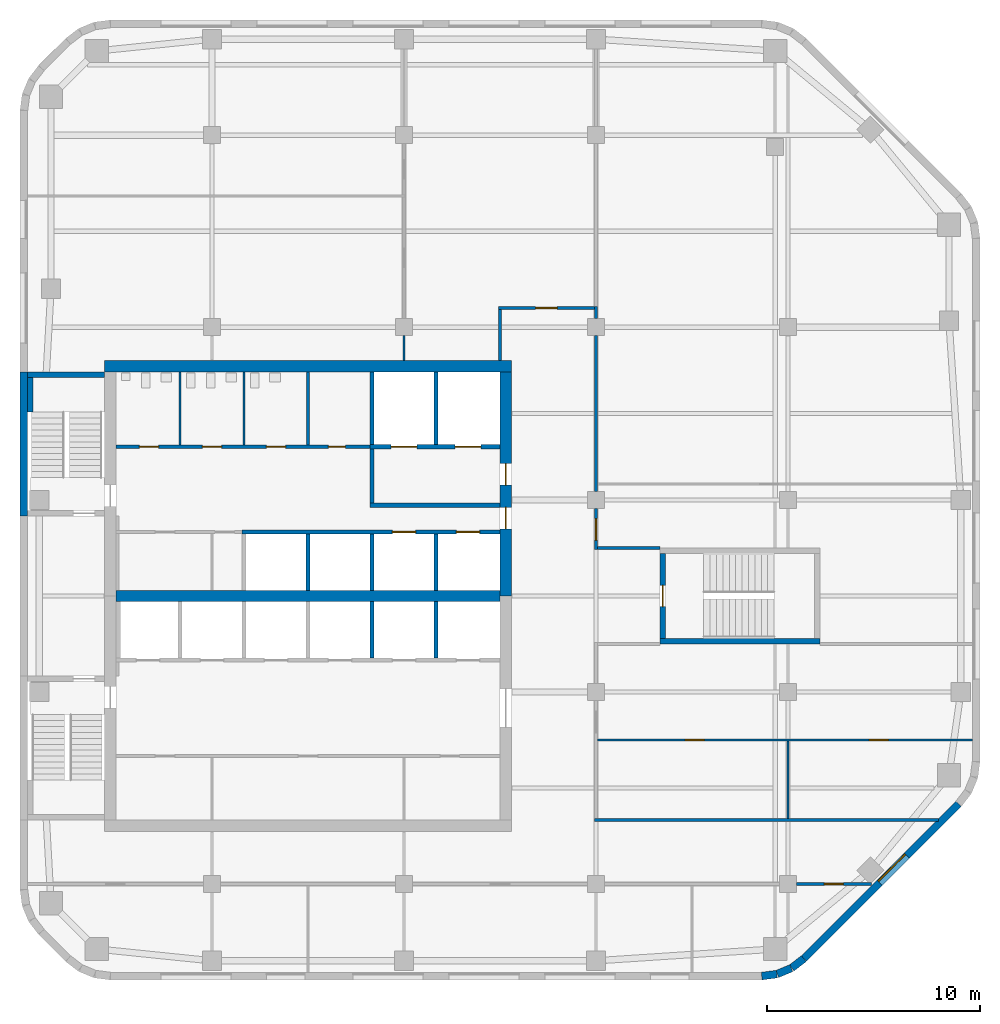
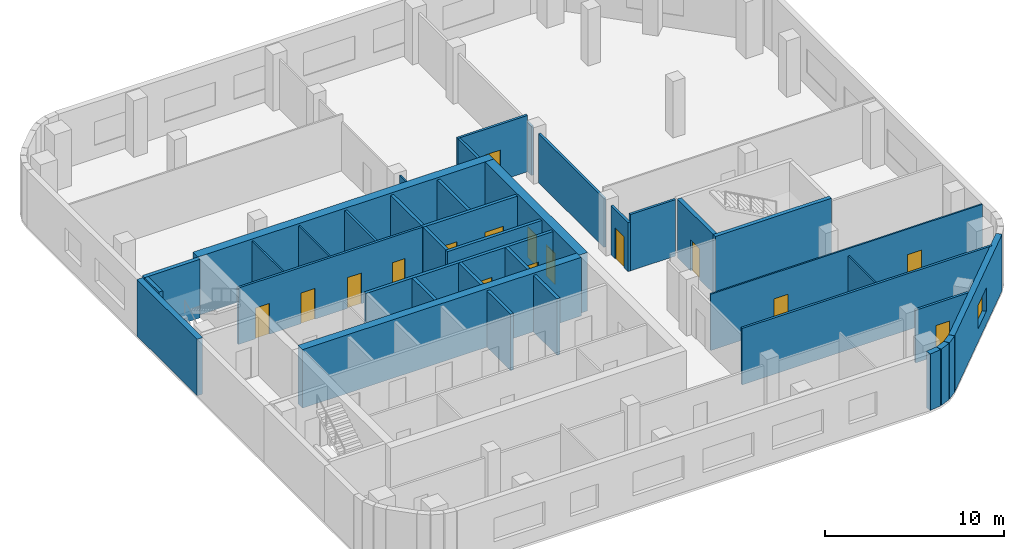
# One storey, part 4 of 7: 38 walls, 16 doors, 1 window, 17 openings.
"""IFC4 building model written with IfcOpenShell, lengths in metres."""

from ifc_helpers import new_model, si_unit, direction, frame, frame_2d, origin, place, context, subcontext, project, spatial, rectangle, extrude, material, layer, layer_set, type_object, element, fill, save


model = new_model("IFC4")

# Units and contexts
model_context = context("Model", 3, precision=1e-05, world=origin(), true_north=direction((0.0, 1.0)))
body_context = subcontext(model_context, "Body", "Model", "MODEL_VIEW")
ifc_project = project(units=[si_unit("LENGTHUNIT", "METRE"), si_unit("AREAUNIT", "SQUARE_METRE"), si_unit("VOLUMEUNIT", "CUBIC_METRE"), si_unit("PLANEANGLEUNIT", "RADIAN"), si_unit("MASSUNIT", "GRAM", prefix="KILO")], contexts=[model_context])

# Site, building, storey
site_placement = place(None, origin())
site = spatial("IfcSite", under=ifc_project, at=site_placement, CompositionType="ELEMENT")
building_placement = place(site_placement, origin())
building = spatial("IfcBuilding", under=site, at=building_placement, Name="Cinnabar Reach Civic Tower", CompositionType="ELEMENT")
storey_placement = place(building_placement, frame((0.0, 0.0, 214.0)))
storey = spatial("IfcBuildingStorey", under=building, at=storey_placement, Name="L51", CompositionType="ELEMENT", Elevation=214.0)

# Walls
ifc_material_1 = material(Name="Facing brick with insulated backing", Category="masonry")
ifc_layer_1 = layer(ifc_material_1, 0.36)
ifc_layer_set_1 = layer_set([ifc_layer_1], Name="Brick corner wall")
wall_type_1 = type_object("IfcWallType", Name="Brick corner wall", PredefinedType="STANDARD", material=ifc_layer_set_1)
for number, where, z_axis, x_axis, name in (
    (1, (34.7686, 13.683, 0.0), (0.0, 0.0, 1.0), (0.99144092581, 0.13055608231, 0.0), "Brick corner wall"),
    (2, (35.4973, 13.7819, 0.0), (0.0, 0.0, 1.0), (0.923871547278, 0.382702709855, 0.0), "Brick corner wall"),
):
    element("IfcWall", number, at=place(storey_placement, frame(where, z_axis=z_axis, x_axis=x_axis)), inside=storey, type_object=wall_type_1, Name=name, PredefinedType="STANDARD", context=body_context, shape_type="SweptSolid", body=[
        extrude(rectangle(XDim=0.7131, YDim=0.36, at=frame_2d((0.3565, 0.0))), origin(), (0.0, 0.0, 1.0), 3.85),
    ])
wall_1_placement = place(storey_placement, frame((36.1755, 14.066, 0.0), z_axis=(0.0, 0.0, 1.0), x_axis=(0.793321924995, 0.608802368033, 0.0)))
element("IfcWall", 3, at=wall_1_placement, inside=storey, type_object=wall_type_1, Name="Brick corner wall", PredefinedType="STANDARD", context=body_context, shape_type="SweptSolid", body=[
    extrude(rectangle(XDim=0.7132, YDim=0.36, at=frame_2d((0.3566, 0.0))), origin(), (0.0, 0.0, 1.0), 3.85),
])

# Wall, opening, window
ifc_layer_2 = layer(ifc_material_1, 0.36)
ifc_layer_set_2 = layer_set([ifc_layer_2], Name="Brick pier and spandrel wall")
wall_type_2 = type_object("IfcWallType", Name="Brick pier and spandrel wall", PredefinedType="STANDARD", material=ifc_layer_set_2)
wall_2_placement = place(storey_placement, frame((36.7514, 14.506, 0.0), z_axis=(0.0, 0.0, 1.0), x_axis=(0.707106781187, 0.707106781187, 0.0)))
wall_2 = element("IfcWall", 4, at=wall_2_placement, inside=storey, type_object=wall_type_2, Name="Brick facade wall", PredefinedType="STANDARD", context=body_context, shape_type="SweptSolid", body=[
    extrude(rectangle(XDim=10.2426, YDim=0.36, at=frame_2d((5.1213, 0.0))), origin(), (0.0, 0.0, 1.0), 3.85),
])
opening_1_placement = place(wall_2_placement, frame((5.0213, 0.0, 0.9)))
opening_1 = element("IfcOpeningElement", 5, at=opening_1_placement, cuts=wall_2, Name="Opening W2046", PredefinedType="OPENING", context=body_context, shape_type="SweptSolid", body=[
    extrude(rectangle(XDim=1.8, YDim=1.6, at=frame_2d((0.9, 0.8))), frame((0.0, 0.19, 0.0), z_axis=(0.0, -1.0, 0.0), x_axis=(1.0, 0.0, 0.0)), (0.0, 0.0, 1.0), 0.38),
])
ifc_material_2 = material(Name="Clear double glazing in aluminium frame", Category="aluminium")
window_type = type_object("IfcWindowType", Name="Deep-set window D", PartitioningType="SINGLE_PANEL", PredefinedType="WINDOW", material=ifc_material_2)
window_placement = place(opening_1_placement, origin())
window = element("IfcWindow", 6, at=window_placement, inside=storey, type_object=window_type, Name="Window southeast face", OverallHeight=1.6, OverallWidth=1.8, PartitioningType="SINGLE_PANEL", PredefinedType="WINDOW", context=body_context, shape_type="SweptSolid", body=[
    extrude(rectangle(XDim=1.8, YDim=1.6, at=frame_2d((0.9, 0.8))), frame((0.0, 0.13, 0.0), z_axis=(0.0, -1.0, 0.0), x_axis=(1.0, 0.0, 0.0)), (0.0, 0.0, 1.0), 0.06),
])
fill(opening_1, window)

# Walls
wall_3_placement = place(storey_placement, frame((0.18, 42.0, 0.0), z_axis=(0.0, 0.0, 1.0), x_axis=(0.0, -1.0, 0.0)))
element("IfcWall", 7, at=wall_3_placement, inside=storey, type_object=wall_type_2, Name="Brick facade wall", PredefinedType="STANDARD", context=body_context, shape_type="SweptSolid", body=[
    extrude(rectangle(XDim=6.75, YDim=0.36, at=frame_2d((3.375, 0.0))), origin(), (0.0, 0.0, 1.0), 3.85),
])
ifc_material_3 = material(Name="Concrete C60", Category="concrete")
ifc_layer_3 = layer(ifc_material_3, 0.5)
ifc_layer_set_3 = layer_set([ifc_layer_3], Name="Core wall 500 EI 180")
wall_type_3 = type_object("IfcWallType", Name="Core wall 500 EI 180", PredefinedType="SOLIDWALL", material=ifc_layer_set_3)
wall_4_placement = place(storey_placement, frame((4.5, 31.5, 0.0), z_axis=(0.0, 0.0, 1.0), x_axis=(1.0, 0.0, 0.0)))
element("IfcWall", 8, at=wall_4_placement, inside=storey, type_object=wall_type_3, Name="Core spine wall T1 L51", PredefinedType="SOLIDWALL", context=body_context, shape_type="SweptSolid", body=[
    extrude(rectangle(XDim=18.0, YDim=0.5, at=frame_2d((9.0, 0.0))), origin(), (0.0, 0.0, 1.0), 4.0),
])
ifc_layer_4 = layer(ifc_material_3, 0.55)
ifc_layer_set_4 = layer_set([ifc_layer_4], Name="Core wall 550 EI 180")
wall_type_4 = type_object("IfcWallType", Name="Core wall 550 EI 180", PredefinedType="SOLIDWALL", material=ifc_layer_set_4)
wall_5_placement = place(storey_placement, frame((23.05, 42.275, 0.0), z_axis=(0.0, 0.0, 1.0), x_axis=(-1.0, 0.0, 0.0)))
element("IfcWall", 9, at=wall_5_placement, inside=storey, type_object=wall_type_4, Name="Core wall T1 L51 N", PredefinedType="SOLIDWALL", context=body_context, shape_type="SweptSolid", body=[
    extrude(rectangle(XDim=19.1, YDim=0.55, at=frame_2d((9.55, 0.0))), origin(), (0.0, 0.0, 1.0), 4.0),
])

# Wall, openings, doors
wall_6_placement = place(storey_placement, frame((22.775, 31.5, 0.0), z_axis=(0.0, 0.0, 1.0), x_axis=(0.0, 1.0, 0.0)))
wall_6 = element("IfcWall", 10, at=wall_6_placement, inside=storey, type_object=wall_type_4, Name="Core wall T1 L51 E2", PredefinedType="SOLIDWALL", context=body_context, shape_type="SweptSolid", body=[
    extrude(rectangle(XDim=10.5, YDim=0.55, at=frame_2d((5.25, 0.0))), origin(), (0.0, 0.0, 1.0), 4.0),
])
opening_2_placement = place(wall_6_placement, frame((3.15, 0.0, 0.0)))
opening_2 = element("IfcOpeningElement", 11, at=opening_2_placement, cuts=wall_6, Name="Opening D5086", PredefinedType="OPENING", context=body_context, shape_type="SweptSolid", body=[
    extrude(rectangle(XDim=1.0, YDim=2.1, at=frame_2d((0.5, 1.05))), frame((0.0, 0.285, 0.0), z_axis=(0.0, -1.0, 0.0), x_axis=(1.0, 0.0, 0.0)), (0.0, 0.0, 1.0), 0.57),
])
opening_3_placement = place(wall_6_placement, frame((5.2, 0.0, 0.0)))
opening_3 = element("IfcOpeningElement", 12, at=opening_3_placement, cuts=wall_6, Name="Opening D5087", PredefinedType="OPENING", context=body_context, shape_type="SweptSolid", body=[
    extrude(rectangle(XDim=1.0, YDim=2.1, at=frame_2d((0.5, 1.05))), frame((0.0, 0.285, 0.0), z_axis=(0.0, -1.0, 0.0), x_axis=(1.0, 0.0, 0.0)), (0.0, 0.0, 1.0), 0.57),
])
ifc_material_4 = material(Name="Timber door leaf in steel frame", Category="steel")
door_type_1 = type_object("IfcDoorType", Name="Firefighting lobby door 1000 x 2100 T1", OperationType="SINGLE_SWING_LEFT", PredefinedType="DOOR", material=ifc_material_4)
door_1_placement = place(opening_3_placement, origin())
door_1 = element("IfcDoor", 13, at=door_1_placement, inside=storey, type_object=door_type_1, Name="Door D5087", OperationType="SINGLE_SWING_LEFT", OverallHeight=2.1, OverallWidth=1.0, PredefinedType="DOOR", context=body_context, shape_type="SweptSolid", body=[
    extrude(rectangle(XDim=1.0, YDim=2.1, at=frame_2d((0.5, 1.05))), frame((0.0, 0.025, 0.0), z_axis=(0.0, -1.0, 0.0), x_axis=(1.0, 0.0, 0.0)), (0.0, 0.0, 1.0), 0.05),
])
fill(opening_3, door_1)
door_type_2 = type_object("IfcDoorType", Name="Single swing door 1000 x 2100 T1", OperationType="SINGLE_SWING_LEFT", PredefinedType="DOOR", material=ifc_material_4)
door_2_placement = place(opening_2_placement, origin())
door_2 = element("IfcDoor", 14, at=door_2_placement, inside=storey, type_object=door_type_2, Name="Door D5086", OperationType="SINGLE_SWING_RIGHT", OverallHeight=2.1, OverallWidth=1.0, PredefinedType="DOOR", context=body_context, shape_type="SweptSolid", body=[
    extrude(rectangle(XDim=1.0, YDim=2.1, at=frame_2d((0.5, 1.05))), frame((0.0, 0.025, 0.0), z_axis=(0.0, -1.0, 0.0), x_axis=(1.0, 0.0, 0.0)), (0.0, 0.0, 1.0), 0.05),
])
fill(opening_2, door_2)

# Wall, opening, door
ifc_material_5 = material(Name="Gypsum board on steel studs, double layer", Category="steel")
ifc_layer_5 = layer(ifc_material_5, 0.15)
ifc_layer_set_5 = layer_set([ifc_layer_5], Name="Corridor wall 150 T1")
wall_type_5 = type_object("IfcWallType", Name="Corridor wall 150 T1", PredefinedType="PARTITIONING", material=ifc_layer_set_5)
wall_7_placement = place(storey_placement, frame((36.4, 18.0, 0.0), z_axis=(0.0, 0.0, 1.0), x_axis=(1.0, 0.0, 0.0)))
wall_7 = element("IfcWall", 15, at=wall_7_placement, inside=storey, type_object=wall_type_5, Name="Corridor wall 18", PredefinedType="PARTITIONING", context=body_context, shape_type="SweptSolid", body=[
    extrude(rectangle(XDim=3.516, YDim=0.15, at=frame_2d((1.758, 0.0))), origin(), (0.0, 0.0, 1.0), 3.602),
])
opening_4_placement = place(wall_7_placement, frame((1.3, 0.0, 0.0)))
opening_4 = element("IfcOpeningElement", 16, at=opening_4_placement, cuts=wall_7, Name="Opening D5105", PredefinedType="OPENING", context=body_context, shape_type="SweptSolid", body=[
    extrude(rectangle(XDim=0.9, YDim=2.1, at=frame_2d((0.45, 1.05))), frame((0.0, 0.085, 0.0), z_axis=(0.0, -1.0, 0.0), x_axis=(1.0, 0.0, 0.0)), (0.0, 0.0, 1.0), 0.17),
])
door_type_3 = type_object("IfcDoorType", Name="Single swing door 900 x 2100 corridor T1", OperationType="SINGLE_SWING_LEFT", PredefinedType="DOOR", material=ifc_material_4)
door_3_placement = place(opening_4_placement, frame((0.9, 0.0, 0.0), z_axis=(0.0, 0.0, 1.0), x_axis=(-1.0, 0.0, 0.0)))
door_3 = element("IfcDoor", 17, at=door_3_placement, inside=storey, type_object=door_type_3, Name="Door D5105", OperationType="SINGLE_SWING_RIGHT", OverallHeight=2.1, OverallWidth=0.9, PredefinedType="DOOR", context=body_context, shape_type="SweptSolid", body=[
    extrude(rectangle(XDim=0.9, YDim=2.1, at=frame_2d((0.45, 1.05))), frame((0.0, 0.025, 0.0), z_axis=(0.0, -1.0, 0.0), x_axis=(1.0, 0.0, 0.0)), (0.0, 0.0, 1.0), 0.05),
])
fill(opening_4, door_3)

# Wall
wall_8_placement = place(storey_placement, frame((26.925, 21.0, 0.0), z_axis=(0.0, 0.0, 1.0), x_axis=(1.0, 0.0, 0.0)))
element("IfcWall", 18, at=wall_8_placement, inside=storey, type_object=wall_type_5, Name="Corridor wall 24", PredefinedType="PARTITIONING", context=body_context, shape_type="SweptSolid", body=[
    extrude(rectangle(XDim=16.1409, YDim=0.15, at=frame_2d((8.0704, 0.0))), origin(), (0.0, 0.0, 1.0), 3.85),
])

# Wall, openings, doors
wall_9_placement = place(storey_placement, frame((4.5, 38.5, 0.0), z_axis=(0.0, 0.0, 1.0), x_axis=(1.0, 0.0, 0.0)))
wall_9 = element("IfcWall", 19, at=wall_9_placement, inside=storey, type_object=wall_type_5, Name="Corridor wall 25", PredefinedType="PARTITIONING", context=body_context, shape_type="SweptSolid", body=[
    extrude(rectangle(XDim=11.9, YDim=0.15, at=frame_2d((5.95, 0.0))), origin(), (0.0, 0.0, 1.0), 3.85),
])
opening_5_placement = place(wall_9_placement, frame((1.1, 0.0, 0.0)))
opening_5 = element("IfcOpeningElement", 20, at=opening_5_placement, cuts=wall_9, Name="Opening D5094", PredefinedType="OPENING", context=body_context, shape_type="SweptSolid", body=[
    extrude(rectangle(XDim=0.9, YDim=2.1, at=frame_2d((0.45, 1.05))), frame((0.0, 0.085, 0.0), z_axis=(0.0, -1.0, 0.0), x_axis=(1.0, 0.0, 0.0)), (0.0, 0.0, 1.0), 0.17),
])
opening_6_placement = place(wall_9_placement, frame((4.05, 0.0, 0.0)))
opening_6 = element("IfcOpeningElement", 21, at=opening_6_placement, cuts=wall_9, Name="Opening D5095", PredefinedType="OPENING", context=body_context, shape_type="SweptSolid", body=[
    extrude(rectangle(XDim=0.9, YDim=2.1, at=frame_2d((0.45, 1.05))), frame((0.0, 0.085, 0.0), z_axis=(0.0, -1.0, 0.0), x_axis=(1.0, 0.0, 0.0)), (0.0, 0.0, 1.0), 0.17),
])
opening_7_placement = place(wall_9_placement, frame((7.05, 0.0, 0.0)))
opening_7 = element("IfcOpeningElement", 22, at=opening_7_placement, cuts=wall_9, Name="Opening D5096", PredefinedType="OPENING", context=body_context, shape_type="SweptSolid", body=[
    extrude(rectangle(XDim=0.9, YDim=2.1, at=frame_2d((0.45, 1.05))), frame((0.0, 0.085, 0.0), z_axis=(0.0, -1.0, 0.0), x_axis=(1.0, 0.0, 0.0)), (0.0, 0.0, 1.0), 0.17),
])
opening_8_placement = place(wall_9_placement, frame((9.95, 0.0, 0.0)))
opening_8 = element("IfcOpeningElement", 23, at=opening_8_placement, cuts=wall_9, Name="Opening D5097", PredefinedType="OPENING", context=body_context, shape_type="SweptSolid", body=[
    extrude(rectangle(XDim=0.8, YDim=2.1, at=frame_2d((0.4, 1.05))), frame((0.0, 0.085, 0.0), z_axis=(0.0, -1.0, 0.0), x_axis=(1.0, 0.0, 0.0)), (0.0, 0.0, 1.0), 0.17),
])
door_type_4 = type_object("IfcDoorType", Name="Riser access door 800 x 2100 T1", OperationType="SINGLE_SWING_LEFT", PredefinedType="DOOR", material=ifc_material_4)
door_4_placement = place(opening_8_placement, origin())
door_4 = element("IfcDoor", 24, at=door_4_placement, inside=storey, type_object=door_type_4, Name="Door D5097", OperationType="SINGLE_SWING_LEFT", OverallHeight=2.1, OverallWidth=0.8, PredefinedType="DOOR", context=body_context, shape_type="SweptSolid", body=[
    extrude(rectangle(XDim=0.8, YDim=2.1, at=frame_2d((0.4, 1.05))), frame((0.0, 0.025, 0.0), z_axis=(0.0, -1.0, 0.0), x_axis=(1.0, 0.0, 0.0)), (0.0, 0.0, 1.0), 0.05),
])
fill(opening_8, door_4)
door_5_placement = place(opening_5_placement, origin())
door_5 = element("IfcDoor", 25, at=door_5_placement, inside=storey, type_object=door_type_3, Name="Door D5094", OperationType="SINGLE_SWING_RIGHT", OverallHeight=2.1, OverallWidth=0.9, PredefinedType="DOOR", context=body_context, shape_type="SweptSolid", body=[
    extrude(rectangle(XDim=0.9, YDim=2.1, at=frame_2d((0.45, 1.05))), frame((0.0, 0.025, 0.0), z_axis=(0.0, -1.0, 0.0), x_axis=(1.0, 0.0, 0.0)), (0.0, 0.0, 1.0), 0.05),
])
fill(opening_5, door_5)
door_6_placement = place(opening_6_placement, origin())
door_6 = element("IfcDoor", 26, at=door_6_placement, inside=storey, type_object=door_type_3, Name="Door D5095", OperationType="SINGLE_SWING_RIGHT", OverallHeight=2.1, OverallWidth=0.9, PredefinedType="DOOR", context=body_context, shape_type="SweptSolid", body=[
    extrude(rectangle(XDim=0.9, YDim=2.1, at=frame_2d((0.45, 1.05))), frame((0.0, 0.025, 0.0), z_axis=(0.0, -1.0, 0.0), x_axis=(1.0, 0.0, 0.0)), (0.0, 0.0, 1.0), 0.05),
])
fill(opening_6, door_6)
door_7_placement = place(opening_7_placement, origin())
door_7 = element("IfcDoor", 27, at=door_7_placement, inside=storey, type_object=door_type_3, Name="Door D5096", OperationType="SINGLE_SWING_LEFT", OverallHeight=2.1, OverallWidth=0.9, PredefinedType="DOOR", context=body_context, shape_type="SweptSolid", body=[
    extrude(rectangle(XDim=0.9, YDim=2.1, at=frame_2d((0.45, 1.05))), frame((0.0, 0.025, 0.0), z_axis=(0.0, -1.0, 0.0), x_axis=(1.0, 0.0, 0.0)), (0.0, 0.0, 1.0), 0.05),
])
fill(opening_7, door_7)

# Wall, opening, door
wall_10_placement = place(storey_placement, frame((27.0, 33.675, 0.0), z_axis=(0.0, 0.0, 1.0), x_axis=(0.0, 1.0, 0.0)))
wall_10 = element("IfcWall", 28, at=wall_10_placement, inside=storey, type_object=wall_type_5, Name="Corridor wall 26", PredefinedType="PARTITIONING", context=body_context, shape_type="SweptSolid", body=[
    extrude(rectangle(XDim=1.925, YDim=0.15, at=frame_2d((0.9625, 0.0))), origin(), (0.0, 0.0, 1.0), 3.35),
])
opening_9_placement = place(wall_10_placement, frame((0.45, 0.0, 0.0)))
opening_9 = element("IfcOpeningElement", 29, at=opening_9_placement, cuts=wall_10, Name="Opening D5098", PredefinedType="OPENING", context=body_context, shape_type="SweptSolid", body=[
    extrude(rectangle(XDim=1.0, YDim=2.1, at=frame_2d((0.5, 1.05))), frame((0.0, 0.085, 0.0), z_axis=(0.0, -1.0, 0.0), x_axis=(1.0, 0.0, 0.0)), (0.0, 0.0, 1.0), 0.17),
])
door_type_5 = type_object("IfcDoorType", Name="Tenancy entrance door 1000 x 2100 T1", OperationType="SINGLE_SWING_LEFT", PredefinedType="DOOR", material=ifc_material_4)
door_8_placement = place(opening_9_placement, frame((1.0, 0.0, 0.0), z_axis=(0.0, 0.0, 1.0), x_axis=(-1.0, 0.0, 0.0)))
door_8 = element("IfcDoor", 30, at=door_8_placement, inside=storey, type_object=door_type_5, Name="Door D5098", OperationType="SINGLE_SWING_RIGHT", OverallHeight=2.1, OverallWidth=1.0, PredefinedType="DOOR", context=body_context, shape_type="SweptSolid", body=[
    extrude(rectangle(XDim=1.0, YDim=2.1, at=frame_2d((0.5, 1.05))), frame((0.0, 0.025, 0.0), z_axis=(0.0, -1.0, 0.0), x_axis=(1.0, 0.0, 0.0)), (0.0, 0.0, 1.0), 0.05),
])
fill(opening_9, door_8)

# Walls
wall_11_placement = place(storey_placement, frame((27.0, 36.4, 0.0), z_axis=(0.0, 0.0, 1.0), x_axis=(0.0, 1.0, 0.0)))
element("IfcWall", 31, at=wall_11_placement, inside=storey, type_object=wall_type_5, Name="Corridor wall 27", PredefinedType="PARTITIONING", context=body_context, shape_type="SweptSolid", body=[
    extrude(rectangle(XDim=7.3, YDim=0.15, at=frame_2d((3.65, 0.0))), origin(), (0.0, 0.0, 1.0), 3.35),
])
wall_12_placement = place(storey_placement, frame((27.0, 44.5, 0.0), z_axis=(0.0, 0.0, 1.0), x_axis=(0.0, 1.0, 0.0)))
element("IfcWall", 32, at=wall_12_placement, inside=storey, type_object=wall_type_5, Name="Corridor wall 28", PredefinedType="PARTITIONING", context=body_context, shape_type="SweptSolid", body=[
    extrude(rectangle(XDim=0.575, YDim=0.15, at=frame_2d((0.2875, 0.0))), origin(), (0.0, 0.0, 1.0), 3.35),
])

# Wall, opening, door
wall_13_placement = place(storey_placement, frame((22.425, 45.0, 0.0), z_axis=(0.0, 0.0, 1.0), x_axis=(1.0, 0.0, 0.0)))
wall_13 = element("IfcWall", 33, at=wall_13_placement, inside=storey, type_object=wall_type_5, Name="Corridor wall 32", PredefinedType="PARTITIONING", context=body_context, shape_type="SweptSolid", body=[
    extrude(rectangle(XDim=4.5, YDim=0.15, at=frame_2d((2.25, 0.0))), origin(), (0.0, 0.0, 1.0), 3.85),
])
opening_10_placement = place(wall_13_placement, frame((1.75, 0.0, 0.0)))
opening_10 = element("IfcOpeningElement", 34, at=opening_10_placement, cuts=wall_13, Name="Opening D5106", PredefinedType="OPENING", context=body_context, shape_type="SweptSolid", body=[
    extrude(rectangle(XDim=1.0, YDim=2.1, at=frame_2d((0.5, 1.05))), frame((0.0, 0.085, 0.0), z_axis=(0.0, -1.0, 0.0), x_axis=(1.0, 0.0, 0.0)), (0.0, 0.0, 1.0), 0.17),
])
door_9_placement = place(opening_10_placement, origin())
door_9 = element("IfcDoor", 35, at=door_9_placement, inside=storey, type_object=door_type_5, Name="Door D5106", OperationType="SINGLE_SWING_LEFT", OverallHeight=2.1, OverallWidth=1.0, PredefinedType="DOOR", context=body_context, shape_type="SweptSolid", body=[
    extrude(rectangle(XDim=1.0, YDim=2.1, at=frame_2d((0.5, 1.05))), frame((0.0, 0.025, 0.0), z_axis=(0.0, -1.0, 0.0), x_axis=(1.0, 0.0, 0.0)), (0.0, 0.0, 1.0), 0.05),
])
fill(opening_10, door_9)

# Walls
wall_14_placement = place(storey_placement, frame((27.075, 33.75, 0.0), z_axis=(0.0, 0.0, 1.0), x_axis=(1.0, 0.0, 0.0)))
element("IfcWall", 36, at=wall_14_placement, inside=storey, type_object=wall_type_5, Name="Corridor wall 36", PredefinedType="PARTITIONING", context=body_context, shape_type="SweptSolid", body=[
    extrude(rectangle(XDim=2.925, YDim=0.15, at=frame_2d((1.4625, 0.0))), origin(), (0.0, 0.0, 1.0), 3.85),
])
wall_15_placement = place(storey_placement, frame((22.5, 42.55, 0.0), z_axis=(0.0, 0.0, 1.0), x_axis=(0.0, 1.0, 0.0)))
element("IfcWall", 37, at=wall_15_placement, inside=storey, type_object=wall_type_5, Name="Corridor wall 37", PredefinedType="PARTITIONING", context=body_context, shape_type="SweptSolid", body=[
    extrude(rectangle(XDim=2.375, YDim=0.15, at=frame_2d((1.1875, 0.0))), origin(), (0.0, 0.0, 1.0), 3.85),
])

# Wall, openings, doors
ifc_material_6 = material(Name="Blockwork", Category="masonry")
ifc_layer_6 = layer(ifc_material_6, 0.2)
ifc_layer_set_6 = layer_set([ifc_layer_6], Name="Lift shaft wall 200 T1")
wall_type_6 = type_object("IfcWallType", Name="Lift shaft wall 200 T1", PredefinedType="PARTITIONING", material=ifc_layer_set_6)
wall_16_placement = place(storey_placement, frame((10.4, 34.5, 0.0), z_axis=(0.0, 0.0, 1.0), x_axis=(1.0, 0.0, 0.0)))
wall_16 = element("IfcWall", 38, at=wall_16_placement, inside=storey, type_object=wall_type_6, Name="Lift shaft wall 5", PredefinedType="PARTITIONING", context=body_context, shape_type="SweptSolid", body=[
    extrude(rectangle(XDim=12.1, YDim=0.2, at=frame_2d((6.05, 0.0))), origin(), (0.0, 0.0, 1.0), 3.85),
])
opening_11_placement = place(wall_16_placement, frame((7.05, 0.0, 0.0)))
opening_11 = element("IfcOpeningElement", 39, at=opening_11_placement, cuts=wall_16, Name="Opening D5081", PredefinedType="OPENING", context=body_context, shape_type="SweptSolid", body=[
    extrude(rectangle(XDim=1.1, YDim=2.1, at=frame_2d((0.55, 1.05))), frame((0.0, 0.11, 0.0), z_axis=(0.0, -1.0, 0.0), x_axis=(1.0, 0.0, 0.0)), (0.0, 0.0, 1.0), 0.22),
])
opening_12_placement = place(wall_16_placement, frame((10.05, 0.0, 0.0)))
opening_12 = element("IfcOpeningElement", 40, at=opening_12_placement, cuts=wall_16, Name="Opening D5082", PredefinedType="OPENING", context=body_context, shape_type="SweptSolid", body=[
    extrude(rectangle(XDim=1.1, YDim=2.1, at=frame_2d((0.55, 1.05))), frame((0.0, 0.11, 0.0), z_axis=(0.0, -1.0, 0.0), x_axis=(1.0, 0.0, 0.0)), (0.0, 0.0, 1.0), 0.22),
])
ifc_material_7 = material(Name="Stainless steel sliding door", Category="steel")
door_type_6 = type_object("IfcDoorType", Name="Lift landing door 1100 x 2100 T1", OperationType="SLIDING_TO_LEFT", PredefinedType="DOOR", material=ifc_material_7)
door_10_placement = place(opening_11_placement, origin())
door_10 = element("IfcDoor", 41, at=door_10_placement, inside=storey, type_object=door_type_6, Name="Lift landing door SV1 L51", OperationType="SLIDING_TO_LEFT", OverallHeight=2.1, OverallWidth=1.1, PredefinedType="DOOR", context=body_context, shape_type="SweptSolid", body=[
    extrude(rectangle(XDim=1.1, YDim=2.1, at=frame_2d((0.55, 1.05))), frame((0.0, 0.025, 0.0), z_axis=(0.0, -1.0, 0.0), x_axis=(1.0, 0.0, 0.0)), (0.0, 0.0, 1.0), 0.05),
])
fill(opening_11, door_10)
door_11_placement = place(opening_12_placement, origin())
door_11 = element("IfcDoor", 42, at=door_11_placement, inside=storey, type_object=door_type_6, Name="Lift landing door SV2 L51", OperationType="SLIDING_TO_LEFT", OverallHeight=2.1, OverallWidth=1.1, PredefinedType="DOOR", context=body_context, shape_type="SweptSolid", body=[
    extrude(rectangle(XDim=1.1, YDim=2.1, at=frame_2d((0.55, 1.05))), frame((0.0, 0.025, 0.0), z_axis=(0.0, -1.0, 0.0), x_axis=(1.0, 0.0, 0.0)), (0.0, 0.0, 1.0), 0.05),
])
fill(opening_12, door_11)

# Walls
for number, where, z_axis, x_axis, name in (
    (43, (13.5, 31.75, 0.0), (0.0, 0.0, 1.0), (0.0, 1.0, 0.0), "Lift shaft wall 9"),
    (44, (16.5, 28.6, 0.0), (0.0, 0.0, 1.0), (0.0, 1.0, 0.0), "Lift shaft wall 10"),
    (45, (16.5, 31.75, 0.0), (0.0, 0.0, 1.0), (0.0, 1.0, 0.0), "Lift shaft wall 11"),
    (46, (19.5, 28.6, 0.0), (0.0, 0.0, 1.0), (0.0, 1.0, 0.0), "Lift shaft wall 12"),
    (47, (19.5, 31.75, 0.0), (0.0, 0.0, 1.0), (0.0, 1.0, 0.0), "Lift shaft wall 13"),
):
    element("IfcWall", number, at=place(storey_placement, frame(where, z_axis=z_axis, x_axis=x_axis)), inside=storey, type_object=wall_type_6, Name=name, PredefinedType="PARTITIONING", context=body_context, shape_type="SweptSolid", body=[
        extrude(rectangle(XDim=2.65, YDim=0.2, at=frame_2d((1.325, 0.0))), origin(), (0.0, 0.0, 1.0), 3.85),
    ])
for number, where, z_axis, x_axis, name in (
    (48, (16.5, 38.6, 0.0), (0.0, 0.0, 1.0), (0.0, 1.0, 0.0), "Lift shaft wall 14"),
    (49, (19.5, 38.6, 0.0), (0.0, 0.0, 1.0), (0.0, 1.0, 0.0), "Lift shaft wall 15"),
):
    element("IfcWall", number, at=place(storey_placement, frame(where, z_axis=z_axis, x_axis=x_axis)), inside=storey, type_object=wall_type_6, Name=name, PredefinedType="PARTITIONING", context=body_context, shape_type="SweptSolid", body=[
        extrude(rectangle(XDim=3.4, YDim=0.2, at=frame_2d((1.7, 0.0))), origin(), (0.0, 0.0, 1.0), 3.85),
    ])

# Wall, openings, doors
ifc_material_8 = material(Name="Gypsum board on steel studs", Category="steel")
ifc_layer_7 = layer(ifc_material_8, 0.1)
ifc_layer_set_7 = layer_set([ifc_layer_7], Name="Partition wall 100 T1")
wall_type_7 = type_object("IfcWallType", Name="Partition wall 100 T1", PredefinedType="PARTITIONING", material=ifc_layer_set_7)
wall_17_placement = place(storey_placement, frame((27.075, 24.75, 0.0), z_axis=(0.0, 0.0, 1.0), x_axis=(1.0, 0.0, 0.0)))
wall_17 = element("IfcWall", 50, at=wall_17_placement, inside=storey, type_object=wall_type_7, Name="Partition wall 43", PredefinedType="PARTITIONING", context=body_context, shape_type="SweptSolid", body=[
    extrude(rectangle(XDim=17.565, YDim=0.1, at=frame_2d((8.7825, 0.0))), origin(), (0.0, 0.0, 1.0), 3.85),
])
opening_13_placement = place(wall_17_placement, frame((4.1, 0.0, 0.0)))
opening_13 = element("IfcOpeningElement", 51, at=opening_13_placement, cuts=wall_17, Name="Opening D5101", PredefinedType="OPENING", context=body_context, shape_type="SweptSolid", body=[
    extrude(rectangle(XDim=0.9, YDim=2.1, at=frame_2d((0.45, 1.05))), frame((0.0, 0.06, 0.0), z_axis=(0.0, -1.0, 0.0), x_axis=(1.0, 0.0, 0.0)), (0.0, 0.0, 1.0), 0.12),
])
opening_14_placement = place(wall_17_placement, frame((12.725, 0.0, 0.0)))
opening_14 = element("IfcOpeningElement", 52, at=opening_14_placement, cuts=wall_17, Name="Opening D5102", PredefinedType="OPENING", context=body_context, shape_type="SweptSolid", body=[
    extrude(rectangle(XDim=0.9, YDim=2.1, at=frame_2d((0.45, 1.05))), frame((0.0, 0.06, 0.0), z_axis=(0.0, -1.0, 0.0), x_axis=(1.0, 0.0, 0.0)), (0.0, 0.0, 1.0), 0.12),
])
door_type_7 = type_object("IfcDoorType", Name="Single swing door 900 x 2100 T1", OperationType="SINGLE_SWING_LEFT", PredefinedType="DOOR", material=ifc_material_4)
door_12_placement = place(opening_13_placement, frame((0.9, 0.0, 0.0), z_axis=(0.0, 0.0, 1.0), x_axis=(-1.0, 0.0, 0.0)))
door_12 = element("IfcDoor", 53, at=door_12_placement, inside=storey, type_object=door_type_7, Name="Door D5101", OperationType="SINGLE_SWING_RIGHT", OverallHeight=2.1, OverallWidth=0.9, PredefinedType="DOOR", context=body_context, shape_type="SweptSolid", body=[
    extrude(rectangle(XDim=0.9, YDim=2.1, at=frame_2d((0.45, 1.05))), frame((0.0, 0.025, 0.0), z_axis=(0.0, -1.0, 0.0), x_axis=(1.0, 0.0, 0.0)), (0.0, 0.0, 1.0), 0.05),
])
fill(opening_13, door_12)
door_13_placement = place(opening_14_placement, frame((0.9, 0.0, 0.0), z_axis=(0.0, 0.0, 1.0), x_axis=(-1.0, 0.0, 0.0)))
door_13 = element("IfcDoor", 54, at=door_13_placement, inside=storey, type_object=door_type_7, Name="Door D5102", OperationType="SINGLE_SWING_LEFT", OverallHeight=2.1, OverallWidth=0.9, PredefinedType="DOOR", context=body_context, shape_type="SweptSolid", body=[
    extrude(rectangle(XDim=0.9, YDim=2.1, at=frame_2d((0.45, 1.05))), frame((0.0, 0.025, 0.0), z_axis=(0.0, -1.0, 0.0), x_axis=(1.0, 0.0, 0.0)), (0.0, 0.0, 1.0), 0.05),
])
fill(opening_14, door_13)

# Walls
wall_18_placement = place(storey_placement, frame((18.0, 42.55, 0.0), z_axis=(0.0, 0.0, 1.0), x_axis=(0.0, 1.0, 0.0)))
element("IfcWall", 55, at=wall_18_placement, inside=storey, type_object=wall_type_7, Name="Partition wall 46", PredefinedType="PARTITIONING", context=body_context, shape_type="SweptSolid", body=[
    extrude(rectangle(XDim=1.15, YDim=0.1, at=frame_2d((0.575, 0.0))), origin(), (0.0, 0.0, 1.0), 3.652),
])
wall_19_placement = place(storey_placement, frame((36.0, 21.075, 0.0), z_axis=(0.0, 0.0, 1.0), x_axis=(0.0, 1.0, 0.0)))
element("IfcWall", 56, at=wall_19_placement, inside=storey, type_object=wall_type_7, Name="Partition wall 52", PredefinedType="PARTITIONING", context=body_context, shape_type="SweptSolid", body=[
    extrude(rectangle(XDim=3.625, YDim=0.1, at=frame_2d((1.8125, 0.0))), origin(), (0.0, 0.0, 1.0), 3.35),
])
for number, where, z_axis, x_axis, name in (
    (57, (7.5, 38.575, 0.0), (0.0, 0.0, 1.0), (0.0, 1.0, 0.0), "Partition wall 53"),
    (58, (10.5, 38.575, 0.0), (0.0, 0.0, 1.0), (0.0, 1.0, 0.0), "Partition wall 54"),
):
    element("IfcWall", number, at=place(storey_placement, frame(where, z_axis=z_axis, x_axis=x_axis)), inside=storey, type_object=wall_type_7, Name=name, PredefinedType="PARTITIONING", context=body_context, shape_type="SweptSolid", body=[
        extrude(rectangle(XDim=3.425, YDim=0.1, at=frame_2d((1.7125, 0.0))), origin(), (0.0, 0.0, 1.0), 3.85),
    ])
ifc_material_9 = material(Name="Concrete C40", Category="concrete")
ifc_layer_8 = layer(ifc_material_9, 0.2)
ifc_layer_set_8 = layer_set([ifc_layer_8], Name="Refuge compartment wall 200 T1")
wall_type_8 = type_object("IfcWallType", Name="Refuge compartment wall 200 T1", PredefinedType="PARTITIONING", material=ifc_layer_set_8)
wall_20_placement = place(storey_placement, frame((16.4, 35.75, 0.0), z_axis=(0.0, 0.0, 1.0), x_axis=(1.0, 0.0, 0.0)))
element("IfcWall", 59, at=wall_20_placement, inside=storey, type_object=wall_type_8, Name="Refuge compartment wall 1", PredefinedType="PARTITIONING", context=body_context, shape_type="SweptSolid", body=[
    extrude(rectangle(XDim=6.1, YDim=0.2, at=frame_2d((3.05, 0.0))), origin(), (0.0, 0.0, 1.0), 3.85),
])

# Wall, openings, doors
wall_21_placement = place(storey_placement, frame((16.4, 38.5, 0.0), z_axis=(0.0, 0.0, 1.0), x_axis=(1.0, 0.0, 0.0)))
wall_21 = element("IfcWall", 60, at=wall_21_placement, inside=storey, type_object=wall_type_8, Name="Refuge compartment wall 2", PredefinedType="PARTITIONING", context=body_context, shape_type="SweptSolid", body=[
    extrude(rectangle(XDim=6.1, YDim=0.2, at=frame_2d((3.05, 0.0))), origin(), (0.0, 0.0, 1.0), 3.85),
])
opening_15_placement = place(wall_21_placement, frame((1.0, 0.0, 0.0)))
opening_15 = element("IfcOpeningElement", 61, at=opening_15_placement, cuts=wall_21, Name="Opening D5083", PredefinedType="OPENING", context=body_context, shape_type="SweptSolid", body=[
    extrude(rectangle(XDim=1.2, YDim=2.1, at=frame_2d((0.6, 1.05))), frame((0.0, 0.11, 0.0), z_axis=(0.0, -1.0, 0.0), x_axis=(1.0, 0.0, 0.0)), (0.0, 0.0, 1.0), 0.22),
])
opening_16_placement = place(wall_21_placement, frame((4.0, 0.0, 0.0)))
opening_16 = element("IfcOpeningElement", 62, at=opening_16_placement, cuts=wall_21, Name="Opening D5084", PredefinedType="OPENING", context=body_context, shape_type="SweptSolid", body=[
    extrude(rectangle(XDim=1.2, YDim=2.1, at=frame_2d((0.6, 1.05))), frame((0.0, 0.11, 0.0), z_axis=(0.0, -1.0, 0.0), x_axis=(1.0, 0.0, 0.0)), (0.0, 0.0, 1.0), 0.22),
])
door_type_8 = type_object("IfcDoorType", Name="Firefighting lift landing door 1200 x 2100 T1", OperationType="SLIDING_TO_LEFT", PredefinedType="DOOR", material=ifc_material_7)
door_14_placement = place(opening_15_placement, origin())
door_14 = element("IfcDoor", 63, at=door_14_placement, inside=storey, type_object=door_type_8, Name="Lift landing door FF1 L51", OperationType="SLIDING_TO_LEFT", OverallHeight=2.1, OverallWidth=1.2, PredefinedType="DOOR", context=body_context, shape_type="SweptSolid", body=[
    extrude(rectangle(XDim=1.2, YDim=2.1, at=frame_2d((0.6, 1.05))), frame((0.0, 0.025, 0.0), z_axis=(0.0, -1.0, 0.0), x_axis=(1.0, 0.0, 0.0)), (0.0, 0.0, 1.0), 0.05),
])
fill(opening_15, door_14)
door_15_placement = place(opening_16_placement, origin())
door_15 = element("IfcDoor", 64, at=door_15_placement, inside=storey, type_object=door_type_8, Name="Lift landing door FF2 L51", OperationType="SLIDING_TO_LEFT", OverallHeight=2.1, OverallWidth=1.2, PredefinedType="DOOR", context=body_context, shape_type="SweptSolid", body=[
    extrude(rectangle(XDim=1.2, YDim=2.1, at=frame_2d((0.6, 1.05))), frame((0.0, 0.025, 0.0), z_axis=(0.0, -1.0, 0.0), x_axis=(1.0, 0.0, 0.0)), (0.0, 0.0, 1.0), 0.05),
])
fill(opening_16, door_15)

# Walls
wall_22_placement = place(storey_placement, frame((16.5, 35.85, 0.0), z_axis=(0.0, 0.0, 1.0), x_axis=(0.0, 1.0, 0.0)))
element("IfcWall", 65, at=wall_22_placement, inside=storey, type_object=wall_type_8, Name="Refuge compartment wall 3", PredefinedType="PARTITIONING", context=body_context, shape_type="SweptSolid", body=[
    extrude(rectangle(XDim=2.55, YDim=0.2, at=frame_2d((1.275, 0.0))), origin(), (0.0, 0.0, 1.0), 3.85),
])
ifc_layer_9 = layer(ifc_material_6, 0.15)
ifc_layer_set_9 = layer_set([ifc_layer_9], Name="Riser wall 150 T1")
wall_type_9 = type_object("IfcWallType", Name="Riser wall 150 T1", PredefinedType="PARTITIONING", material=ifc_layer_set_9)
wall_23_placement = place(storey_placement, frame((13.5, 38.575, 0.0), z_axis=(0.0, 0.0, 1.0), x_axis=(0.0, 1.0, 0.0)))
element("IfcWall", 66, at=wall_23_placement, inside=storey, type_object=wall_type_9, Name="Riser wall 39", PredefinedType="PARTITIONING", context=body_context, shape_type="SweptSolid", body=[
    extrude(rectangle(XDim=3.425, YDim=0.15, at=frame_2d((1.7125, 0.0))), origin(), (0.0, 0.0, 1.0), 3.85),
])
ifc_layer_10 = layer(ifc_material_3, 0.25)
ifc_layer_set_10 = layer_set([ifc_layer_10], Name="Stair shaft wall 250 EI 120")
wall_type_10 = type_object("IfcWallType", Name="Stair shaft wall 250 EI 120", PredefinedType="SOLIDWALL", material=ifc_layer_set_10)
wall_24_placement = place(storey_placement, frame((3.95, 41.875, 0.0), z_axis=(0.0, 0.0, 1.0), x_axis=(-1.0, 0.0, 0.0)))
element("IfcWall", 67, at=wall_24_placement, inside=storey, type_object=wall_type_10, Name="Stair shaft wall T1-S2 L51", PredefinedType="SOLIDWALL", context=body_context, shape_type="SweptSolid", body=[
    extrude(rectangle(XDim=3.59, YDim=0.25, at=frame_2d((1.795, 0.0))), origin(), (0.0, 0.0, 1.0), 4.0),
])
wall_25_placement = place(storey_placement, frame((30.0, 29.375, 0.0), z_axis=(0.0, 0.0, 1.0), x_axis=(1.0, 0.0, 0.0)))
element("IfcWall", 68, at=wall_25_placement, inside=storey, type_object=wall_type_10, Name="Stair shaft wall T1-S3 L51", PredefinedType="SOLIDWALL", context=body_context, shape_type="SweptSolid", body=[
    extrude(rectangle(XDim=7.5, YDim=0.25, at=frame_2d((3.75, 0.0))), origin(), (0.0, 0.0, 1.0), 4.0),
])

# Wall, opening, door
wall_26_placement = place(storey_placement, frame((30.125, 33.5, 0.0), z_axis=(0.0, 0.0, 1.0), x_axis=(0.0, -1.0, 0.0)))
wall_26 = element("IfcWall", 69, at=wall_26_placement, inside=storey, type_object=wall_type_10, Name="Stair shaft wall T1-S3 L51", PredefinedType="SOLIDWALL", context=body_context, shape_type="SweptSolid", body=[
    extrude(rectangle(XDim=4.0, YDim=0.25, at=frame_2d((2.0, 0.0))), origin(), (0.0, 0.0, 1.0), 4.0),
])
opening_17_placement = place(wall_26_placement, frame((1.5, 0.0, 0.0)))
opening_17 = element("IfcOpeningElement", 70, at=opening_17_placement, cuts=wall_26, Name="Opening D5088", PredefinedType="OPENING", context=body_context, shape_type="SweptSolid", body=[
    extrude(rectangle(XDim=1.0, YDim=2.1, at=frame_2d((0.5, 1.05))), frame((0.0, 0.135, 0.0), z_axis=(0.0, -1.0, 0.0), x_axis=(1.0, 0.0, 0.0)), (0.0, 0.0, 1.0), 0.27),
])
door_type_9 = type_object("IfcDoorType", Name="Stair door 1000 x 2100 T1", OperationType="SINGLE_SWING_LEFT", PredefinedType="DOOR", material=ifc_material_4)
door_16_placement = place(opening_17_placement, origin())
door_16 = element("IfcDoor", 71, at=door_16_placement, inside=storey, type_object=door_type_9, Name="Door D5088", OperationType="SINGLE_SWING_LEFT", OverallHeight=2.1, OverallWidth=1.0, PredefinedType="DOOR", context=body_context, shape_type="SweptSolid", body=[
    extrude(rectangle(XDim=1.0, YDim=2.1, at=frame_2d((0.5, 1.05))), frame((0.0, 0.025, 0.0), z_axis=(0.0, -1.0, 0.0), x_axis=(1.0, 0.0, 0.0)), (0.0, 0.0, 1.0), 0.05),
])
fill(opening_17, door_16)

# Wall
ifc_material_10 = material(Name="Concrete C40/50", Category="concrete")
ifc_layer_11 = layer(ifc_material_10, 0.24)
ifc_layer_set_11 = layer_set([ifc_layer_11], Name="T1 landing bearer wall 240")
wall_type_11 = type_object("IfcWallType", Name="T1 landing bearer wall 240", PredefinedType="STANDARD", material=ifc_layer_set_11)
wall_27_placement = place(storey_placement, frame((0.48, 40.13, 0.0), z_axis=(0.0, 0.0, 1.0), x_axis=(0.0, 1.0, 0.0)))
element("IfcWall", 72, at=wall_27_placement, inside=storey, type_object=wall_type_11, Name="T1-S2 landing bearer wall", PredefinedType="STANDARD", context=body_context, shape_type="SweptSolid", body=[
    extrude(rectangle(XDim=1.62, YDim=0.24, at=frame_2d((0.81, 0.0))), origin(), (0.0, 0.0, 1.0), 4.0),
])

save(model, "model.ifc")
